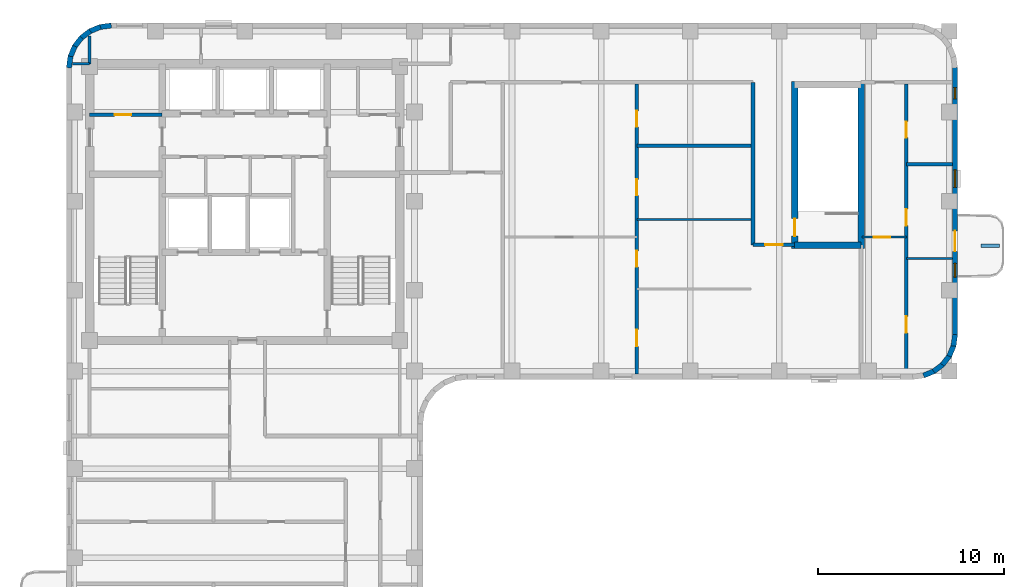
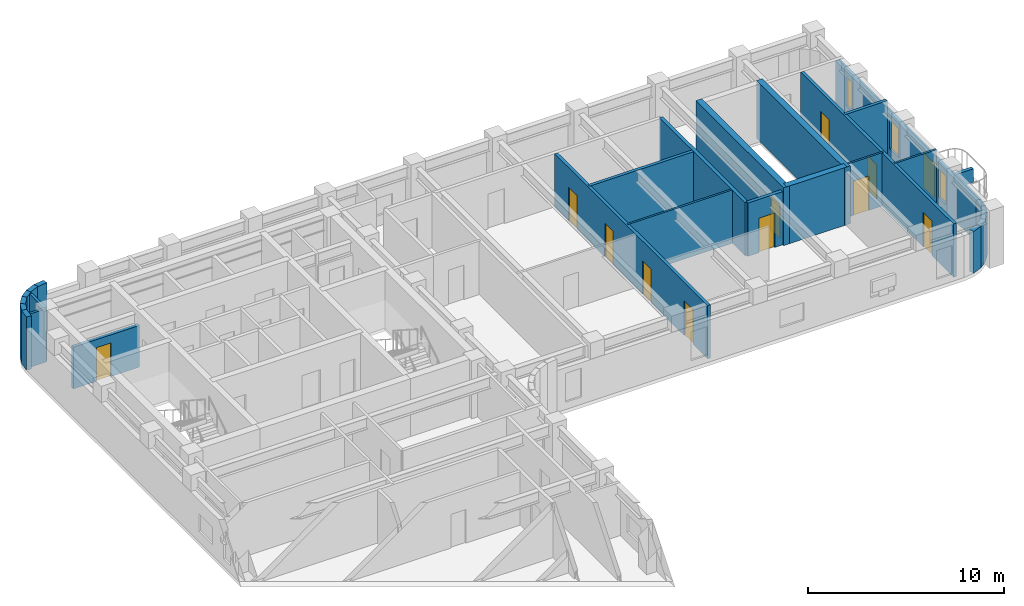
# One storey, part 5 of 8: 28 walls, 12 doors, 3 windows, 15 openings.
"""IFC4 building model written with IfcOpenShell, lengths in metres."""

from ifc_helpers import new_model, si_unit, direction, frame, frame_2d, origin, place, context, subcontext, project, spatial, rectangle, extrude, material, layer, layer_set, type_object, element, fill, save


model = new_model("IFC4")

# Units and contexts
model_context = context("Model", 3, precision=1e-05, world=origin(), true_north=direction((0.0, 1.0)))
body_context = subcontext(model_context, "Body", "Model", "MODEL_VIEW")
ifc_project = project(units=[si_unit("LENGTHUNIT", "METRE"), si_unit("AREAUNIT", "SQUARE_METRE"), si_unit("VOLUMEUNIT", "CUBIC_METRE"), si_unit("PLANEANGLEUNIT", "RADIAN"), si_unit("MASSUNIT", "GRAM", prefix="KILO")], contexts=[model_context])

# Site, building, storey
site_placement = place(None, origin())
site = spatial("IfcSite", under=ifc_project, at=site_placement, CompositionType="ELEMENT")
building_placement = place(site_placement, origin())
building = spatial("IfcBuilding", under=site, at=building_placement, Name="Orvandelia Arch Residences", CompositionType="ELEMENT")
storey_placement = place(building_placement, frame((0.0, 0.0, 236.199951171875)))
storey = spatial("IfcBuildingStorey", under=building, at=storey_placement, Name="L62", CompositionType="ELEMENT", Elevation=236.199951171875)

# Wall, opening, door
ifc_material_1 = material(Name="Concrete C50/60", Category="concrete")
ifc_layer_1 = layer(ifc_material_1, 0.35009765625, Name="Concrete C50/60", Category="concrete")
ifc_layer_set_1 = layer_set([ifc_layer_1], Name="Concrete C50/60")
wall_type_1 = type_object("IfcWallType", Name="WL-CORE-350", PredefinedType="SHEAR", material=ifc_layer_set_1)
wall_1_placement = place(storey_placement, frame((44.02001953125, 35.864990234375, 0.0), z_axis=(0.0, 0.0, 1.0), x_axis=(0.0, 1.0, 0.0)))
wall_1 = element("IfcWall", 1, at=wall_1_placement, inside=storey, type_object=wall_type_1, Name="East Stair Core Shear Wall L62-W", PredefinedType="SHEAR", context=body_context, shape_type="SweptSolid", body=[
    extrude(rectangle(XDim=8.969970703125, YDim=0.35009765625, at=frame_2d((4.48486328125, 0.0))), origin(), (0.0, 0.0, 1.0), 3.60009765625),
])
opening_1_placement = place(wall_1_placement, frame((0.64990234375, 0.0, 0.0)))
opening_1 = element("IfcOpeningElement", 2, at=opening_1_placement, cuts=wall_1, Name="Opening D7", PredefinedType="OPENING", context=body_context, shape_type="SweptSolid", body=[
    extrude(rectangle(XDim=0.949951171875, YDim=2.10009765625, at=frame_2d((0.47509765625, 1.050048828125))), frame((0.0, 0.18505859375, 0.0), z_axis=(0.0, -1.0, 0.0), x_axis=(1.0, 0.0, 0.0)), (0.0, 0.0, 1.0), 0.3701171875),
])
ifc_material_2 = material(Name="Pressurised Stairwell Fire Door")
door_type_1 = type_object("IfcDoorType", Name="DR-STAIR-950", OperationType="NOTDEFINED", PredefinedType="DOOR", material=ifc_material_2)
door_1_placement = place(opening_1_placement, origin())
door_1 = element("IfcDoor", 3, at=door_1_placement, inside=storey, type_object=door_type_1, Name="East Stairwell ST-3 Fire Door L62", OperationType="SINGLE_SWING_LEFT", OverallHeight=2.10009765625, OverallWidth=0.949951171875, PredefinedType="DOOR", context=body_context, shape_type="SweptSolid", body=[
    extrude(rectangle(XDim=0.949951171875, YDim=2.10009765625, at=frame_2d((0.47509765625, 1.050048828125))), frame((0.0, 0.02490234375, 0.0), z_axis=(0.0, -1.0, 0.0), x_axis=(1.0, 0.0, 0.0)), (0.0, 0.0, 1.0), 0.050048828125),
])
fill(opening_1, door_1)

# Walls
wall_2_placement = place(storey_placement, frame((47.60009765625, 35.864990234375, 0.0), z_axis=(0.0, 0.0, 1.0), x_axis=(0.0, 1.0, 0.0)))
element("IfcWall", 4, at=wall_2_placement, inside=storey, type_object=wall_type_1, Name="East Stair Core Shear Wall L62-E", PredefinedType="SHEAR", context=body_context, shape_type="SweptSolid", body=[
    extrude(rectangle(XDim=8.969970703125, YDim=0.35009765625, at=frame_2d((4.48486328125, 0.0))), origin(), (0.0, 0.0, 1.0), 3.60009765625),
])
wall_3_placement = place(storey_placement, frame((44.02001953125, 36.0400390625, 0.0), z_axis=(0.0, 0.0, 1.0), x_axis=(1.0, 0.0, 0.0)))
element("IfcWall", 5, at=wall_3_placement, inside=storey, type_object=wall_type_1, Name="East Stair Core Shear Wall L62-S", PredefinedType="SHEAR", context=body_context, shape_type="SweptSolid", body=[
    extrude(rectangle(XDim=3.580078125, YDim=0.35009765625, at=frame_2d((1.7900390625, 0.0))), origin(), (0.0, 0.0, 1.0), 3.60009765625),
])
ifc_material_3 = material(Name="Fire-Rated Corridor Partition")
ifc_layer_2 = layer(ifc_material_3, 0.199951171875, Name="Fire-Rated Corridor Partition")
ifc_layer_set_2 = layer_set([ifc_layer_2], Name="Fire-Rated Corridor Partition")
wall_type_2 = type_object("IfcWallType", Name="WL-CORR-200", PredefinedType="PARTITIONING", material=ifc_layer_set_2)
wall_4_placement = place(storey_placement, frame((41.780029296875, 36.050048828125, 0.0), z_axis=(0.0, 0.0, 1.0), x_axis=(0.0, 1.0, 0.0)))
element("IfcWall", 6, at=wall_4_placement, inside=storey, type_object=wall_type_2, Name="Interior Partition Wall WL-L62-EN2-SW", PredefinedType="PARTITIONING", context=body_context, shape_type="SweptSolid", body=[
    extrude(rectangle(XDim=8.75, YDim=0.199951171875, at=frame_2d((4.375, 0.0))), origin(), (0.0, 0.0, 1.0), 3.320068359375),
])

# Wall, opening, door
wall_5_placement = place(storey_placement, frame((41.780029296875, 36.050048828125, 0.0), z_axis=(0.0, 0.0, 1.0), x_axis=(1.0, 0.0, 0.0)))
wall_5 = element("IfcWall", 7, at=wall_5_placement, inside=storey, type_object=wall_type_2, Name="Interior Partition Wall WL-L62-EN2-SS", PredefinedType="PARTITIONING", context=body_context, shape_type="SweptSolid", body=[
    extrude(rectangle(XDim=2.239990234375, YDim=0.199951171875, at=frame_2d((1.1201171875, 0.0))), origin(), (0.0, 0.0, 1.0), 3.320068359375),
])
opening_2_placement = place(wall_5_placement, frame((0.64990234375, 0.0, 0.0)))
opening_2 = element("IfcOpeningElement", 8, at=opening_2_placement, cuts=wall_5, Name="Opening D2", PredefinedType="OPENING", context=body_context, shape_type="SweptSolid", body=[
    extrude(rectangle(XDim=0.949951171875, YDim=2.14990234375, at=frame_2d((0.47509765625, 1.074951171875))), frame((0.0, 0.10986328125, 0.0), z_axis=(0.0, -1.0, 0.0), x_axis=(1.0, 0.0, 0.0)), (0.0, 0.0, 1.0), 0.219970703125),
])
ifc_material_4 = material(Name="Solid-Core Timber Interior Fire Door", Category="wood")
door_type_2 = type_object("IfcDoorType", Name="DR-APT-950", OperationType="NOTDEFINED", PredefinedType="DOOR", material=ifc_material_4)
door_2_placement = place(opening_2_placement, origin())
door_2 = element("IfcDoor", 9, at=door_2_placement, inside=storey, type_object=door_type_2, Name="DR-L62-EN2SLN", OperationType="SINGLE_SWING_LEFT", OverallHeight=2.14990234375, OverallWidth=0.949951171875, PredefinedType="DOOR", context=body_context, shape_type="SweptSolid", body=[
    extrude(rectangle(XDim=0.949951171875, YDim=2.14990234375, at=frame_2d((0.47509765625, 1.074951171875))), frame((0.0, 0.02490234375, 0.0), z_axis=(0.0, -1.0, 0.0), x_axis=(1.0, 0.0, 0.0)), (0.0, 0.0, 1.0), 0.050048828125),
])
fill(opening_2, door_2)

# Walls
ifc_material_5 = material(Name="Precast concrete C40/50", Category="concrete")
ifc_layer_3 = layer(ifc_material_5, 0.280029296875, Name="Precast concrete C40/50", Category="concrete")
ifc_layer_set_3 = layer_set([ifc_layer_3], Name="Precast concrete C40/50")
wall_type_3 = type_object("IfcWallType", Name="WL-EXT-STONE-280", PredefinedType="STANDARD", material=ifc_layer_set_3)
for number, where, z_axis, x_axis, name in (
    (10, (4.938720703125, 45.581787109375, 0.0), (0.0, 0.0, 1.0), (0.130555323746, 0.9914410257, 0.0), "Coral-Limestone Precast Facade Wall L62-001"),
    (11, (5.010986328125, 46.16748046875, 0.0), (0.0, 0.0, 1.0), (0.382650053678, 0.92389335771, 0.0), "Coral-Limestone Precast Facade Wall L62-002"),
    (12, (5.232666015625, 46.71484375, 0.0), (0.0, 0.0, 1.0), (0.608693302629, 0.793405610854, 0.0), "Coral-Limestone Precast Facade Wall L62-003"),
    (13, (5.588134765625, 47.18603515625, 0.0), (0.0, 0.0, 1.0), (0.793405610854, 0.608693302629, 0.0), "Coral-Limestone Precast Facade Wall L62-004"),
):
    element("IfcWall", number, at=place(storey_placement, frame(where, z_axis=z_axis, x_axis=x_axis)), inside=storey, type_object=wall_type_3, Name=name, PredefinedType="STANDARD", context=body_context, shape_type="SweptSolid", body=[
        extrude(rectangle(XDim=0.62646484375, YDim=0.280029296875, at=frame_2d((0.313232421875, 0.0))), origin(), (0.0, 0.0, 1.0), 3.320068359375),
    ])
wall_6_placement = place(storey_placement, frame((6.0537109375, 47.54931640625, 0.0), z_axis=(0.0, 0.0, 1.0), x_axis=(0.923974080304, 0.382455093999, 0.0)))
element("IfcWall", 14, at=wall_6_placement, inside=storey, type_object=wall_type_3, Name="Coral-Limestone Precast Facade Wall L62-005", PredefinedType="STANDARD", context=body_context, shape_type="SweptSolid", body=[
    extrude(rectangle(XDim=0.626220703125, YDim=0.280029296875, at=frame_2d((0.31298828125, 0.0))), origin(), (0.0, 0.0, 1.0), 3.320068359375),
])
wall_7_placement = place(storey_placement, frame((6.59716796875, 47.779296875, 0.0), z_axis=(0.0, 0.0, 1.0), x_axis=(0.9914410257, 0.130555323746, 0.0)))
element("IfcWall", 15, at=wall_7_placement, inside=storey, type_object=wall_type_3, Name="Coral-Limestone Precast Facade Wall L62-006", PredefinedType="STANDARD", context=body_context, shape_type="SweptSolid", body=[
    extrude(rectangle(XDim=0.62646484375, YDim=0.280029296875, at=frame_2d((0.313232421875, 0.0))), origin(), (0.0, 0.0, 1.0), 3.320068359375),
])

# Wall, openings, door, windows
wall_8_placement = place(storey_placement, frame((52.659912109375, 45.60009765625, 0.0), z_axis=(0.0, 0.0, 1.0), x_axis=(0.0, -1.0, 0.0)))
wall_8 = element("IfcWall", 16, at=wall_8_placement, inside=storey, type_object=wall_type_3, Name="Coral-Limestone Precast Facade Wall L62-014", PredefinedType="STANDARD", context=body_context, shape_type="SweptSolid", body=[
    extrude(rectangle(XDim=14.400146484375, YDim=0.280029296875, at=frame_2d((7.2001953125, 0.0))), origin(), (0.0, 0.0, 1.0), 2.60009765625),
])
opening_3_placement = place(wall_8_placement, frame((8.800048828125, 0.0, 0.0)))
opening_3 = element("IfcOpeningElement", 17, at=opening_3_placement, cuts=wall_8, Name="Opening BD1", PredefinedType="OPENING", context=body_context, shape_type="SweptSolid", body=[
    extrude(rectangle(XDim=1.10009765625, YDim=2.14990234375, at=frame_2d((0.550048828125, 1.074951171875))), frame((0.0, 0.14990234375, 0.0), z_axis=(0.0, -1.0, 0.0), x_axis=(1.0, 0.0, 0.0)), (0.0, 0.0, 1.0), 0.300048828125),
])
opening_4_placement = place(wall_8_placement, frame((10.54443359375, 0.0, 0.449951171875)))
opening_4 = element("IfcOpeningElement", 18, at=opening_4_placement, cuts=wall_8, Name="Opening W11", PredefinedType="OPENING", context=body_context, shape_type="SweptSolid", body=[
    extrude(rectangle(XDim=0.75, YDim=1.800048828125, at=frame_2d((0.375, 0.89990234375))), frame((0.0, 0.14990234375, 0.0), z_axis=(0.0, -1.0, 0.0), x_axis=(1.0, 0.0, 0.0)), (0.0, 0.0, 1.0), 0.300048828125),
])
opening_5_placement = place(wall_8_placement, frame((1.08740234375, 0.0, 0.449951171875)))
opening_5 = element("IfcOpeningElement", 19, at=opening_5_placement, cuts=wall_8, Name="Opening W12", PredefinedType="OPENING", context=body_context, shape_type="SweptSolid", body=[
    extrude(rectangle(XDim=0.60009765625, YDim=1.800048828125, at=frame_2d((0.300048828125, 0.89990234375))), frame((0.0, 0.14990234375, 0.0), z_axis=(0.0, -1.0, 0.0), x_axis=(1.0, 0.0, 0.0)), (0.0, 0.0, 1.0), 0.300048828125),
])
opening_6_placement = place(wall_8_placement, frame((5.510986328125, 0.0, 0.449951171875)))
opening_6 = element("IfcOpeningElement", 20, at=opening_6_placement, cuts=wall_8, Name="Opening W4", PredefinedType="OPENING", context=body_context, shape_type="SweptSolid", body=[
    extrude(rectangle(XDim=0.949951171875, YDim=1.800048828125, at=frame_2d((0.47509765625, 0.89990234375))), frame((0.0, 0.14990234375, 0.0), z_axis=(0.0, -1.0, 0.0), x_axis=(1.0, 0.0, 0.0)), (0.0, 0.0, 1.0), 0.300048828125),
])
ifc_material_6 = material(Name="Thermally Broken Aluminium Glazed Door", Category="aluminium")
door_type_3 = type_object("IfcDoorType", Name="DR-BAL-GLAZ-1100", OperationType="NOTDEFINED", PredefinedType="DOOR", material=ifc_material_6)
door_3_placement = place(opening_3_placement, origin())
door_3 = element("IfcDoor", 21, at=door_3_placement, inside=storey, type_object=door_type_3, Name="Tree Balcony Glazed Door BAL-L62-E1", OperationType="SINGLE_SWING_LEFT", OverallHeight=2.14990234375, OverallWidth=1.10009765625, PredefinedType="DOOR", context=body_context, shape_type="SweptSolid", body=[
    extrude(rectangle(XDim=1.10009765625, YDim=2.14990234375, at=frame_2d((0.550048828125, 1.074951171875))), frame((0.0, 0.02490234375, 0.0), z_axis=(0.0, -1.0, 0.0), x_axis=(1.0, 0.0, 0.0)), (0.0, 0.0, 1.0), 0.050048828125),
])
fill(opening_3, door_3)
ifc_material_7 = material(Name="Tempered Low-E Insulated Glazing", Category="glass")
window_type_1 = type_object("IfcWindowType", Name="WIN-BED-0750x1800", PartitioningType="SINGLE_PANEL", PredefinedType="WINDOW", material=ifc_material_7)
window_1_placement = place(opening_4_placement, origin())
window_1 = element("IfcWindow", 22, at=window_1_placement, inside=storey, type_object=window_type_1, Name="Recessed Punched Window L62-004", OverallHeight=1.800048828125, OverallWidth=0.75, PartitioningType="SINGLE_PANEL", PredefinedType="WINDOW", context=body_context, shape_type="SweptSolid", body=[
    extrude(rectangle(XDim=0.75, YDim=1.800048828125, at=frame_2d((0.375, 0.89990234375))), frame((0.0, 0.030029296875, 0.0), z_axis=(0.0, -1.0, 0.0), x_axis=(1.0, 0.0, 0.0)), (0.0, 0.0, 1.0), 0.06005859375),
])
fill(opening_4, window_1)
window_type_2 = type_object("IfcWindowType", Name="WIN-LAN-0600x1800", PartitioningType="SINGLE_PANEL", PredefinedType="WINDOW", material=ifc_material_7)
window_2_placement = place(opening_5_placement, origin())
window_2 = element("IfcWindow", 23, at=window_2_placement, inside=storey, type_object=window_type_2, Name="Recessed Punched Window L62-005", OverallHeight=1.800048828125, OverallWidth=0.60009765625, PartitioningType="SINGLE_PANEL", PredefinedType="WINDOW", context=body_context, shape_type="SweptSolid", body=[
    extrude(rectangle(XDim=0.60009765625, YDim=1.800048828125, at=frame_2d((0.300048828125, 0.89990234375))), frame((0.0, 0.030029296875, 0.0), z_axis=(0.0, -1.0, 0.0), x_axis=(1.0, 0.0, 0.0)), (0.0, 0.0, 1.0), 0.06005859375),
])
fill(opening_5, window_2)
window_type_3 = type_object("IfcWindowType", Name="WIN-RES-0950x1800", PartitioningType="SINGLE_PANEL", PredefinedType="WINDOW", material=ifc_material_7)
window_3_placement = place(opening_6_placement, origin())
window_3 = element("IfcWindow", 24, at=window_3_placement, inside=storey, type_object=window_type_3, Name="Recessed Punched Window L62-006", OverallHeight=1.800048828125, OverallWidth=0.949951171875, PartitioningType="SINGLE_PANEL", PredefinedType="WINDOW", context=body_context, shape_type="SweptSolid", body=[
    extrude(rectangle(XDim=0.949951171875, YDim=1.800048828125, at=frame_2d((0.47509765625, 0.89990234375))), frame((0.0, 0.030029296875, 0.0), z_axis=(0.0, -1.0, 0.0), x_axis=(1.0, 0.0, 0.0)), (0.0, 0.0, 1.0), 0.06005859375),
])
fill(opening_6, window_3)

# Walls
wall_9_placement = place(storey_placement, frame((52.6611328125, 31.21826171875, 0.0), z_axis=(0.0, 0.0, 1.0), x_axis=(-0.130555323746, -0.9914410257, 0.0)))
element("IfcWall", 25, at=wall_9_placement, inside=storey, type_object=wall_type_3, Name="Coral-Limestone Precast Facade Wall L62-015", PredefinedType="STANDARD", context=body_context, shape_type="SweptSolid", body=[
    extrude(rectangle(XDim=0.62646484375, YDim=0.280029296875, at=frame_2d((0.313232421875, 0.0))), origin(), (0.0, 0.0, 1.0), 2.60009765625),
])
wall_10_placement = place(storey_placement, frame((52.5888671875, 30.63232421875, 0.0), z_axis=(0.0, 0.0, 1.0), x_axis=(-0.382787856107, -0.923836271867, 0.0)))
element("IfcWall", 26, at=wall_10_placement, inside=storey, type_object=wall_type_3, Name="Coral-Limestone Precast Facade Wall L62-016", PredefinedType="STANDARD", context=body_context, shape_type="SweptSolid", body=[
    extrude(rectangle(XDim=0.626220703125, YDim=0.280029296875, at=frame_2d((0.31298828125, 0.0))), origin(), (0.0, 0.0, 1.0), 2.60009765625),
])
for number, where, z_axis, x_axis, name in (
    (27, (52.367431640625, 30.085205078125, 0.0), (0.0, 0.0, 1.0), (-0.608693302629, -0.793405610854, 0.0), "Coral-Limestone Precast Facade Wall L62-017"),
    (28, (52.011962890625, 29.614013671875, 0.0), (0.0, 0.0, 1.0), (-0.793405610854, -0.608693302629, 0.0), "Coral-Limestone Precast Facade Wall L62-018"),
    (29, (51.54638671875, 29.250732421875, 0.0), (0.0, 0.0, 1.0), (-0.92389335771, -0.382650053678, 0.0), "Coral-Limestone Precast Facade Wall L62-019"),
):
    element("IfcWall", number, at=place(storey_placement, frame(where, z_axis=z_axis, x_axis=x_axis)), inside=storey, type_object=wall_type_3, Name=name, PredefinedType="STANDARD", context=body_context, shape_type="SweptSolid", body=[
        extrude(rectangle(XDim=0.62646484375, YDim=0.280029296875, at=frame_2d((0.313232421875, 0.0))), origin(), (0.0, 0.0, 1.0), 2.60009765625),
    ])
ifc_material_8 = material(Name="Lightweight Gypsum Stud Partition")
ifc_layer_4 = layer(ifc_material_8, 0.1201171875, Name="Lightweight Gypsum Stud Partition")
ifc_layer_set_4 = layer_set([ifc_layer_4], Name="Lightweight Gypsum Stud Partition")
wall_type_4 = type_object("IfcWallType", Name="WL-PART-120", PredefinedType="PARTITIONING", material=ifc_layer_set_4)
wall_11_placement = place(storey_placement, frame((35.528076171875, 37.4208984375, 0.0), z_axis=(0.0, 0.0, 1.0), x_axis=(1.0, 0.0, 0.0)))
element("IfcWall", 30, at=wall_11_placement, inside=storey, type_object=wall_type_4, Name="Interior Partition Wall WL-L62-U04-H1B", PredefinedType="PARTITIONING", context=body_context, shape_type="SweptSolid", body=[
    extrude(rectangle(XDim=6.15185546875, YDim=0.1201171875, at=frame_2d((3.075927734375, 0.0))), origin(), (0.0, 0.0, 1.0), 3.320068359375),
])

# Wall, opening, door
wall_12_placement = place(storey_placement, frame((47.639892578125, 36.468017578125, 0.0), z_axis=(0.0, 0.0, 1.0), x_axis=(1.0, 0.0, 0.0)))
wall_12 = element("IfcWall", 31, at=wall_12_placement, inside=storey, type_object=wall_type_4, Name="Interior Partition Wall WL-L62-U05-DIN", PredefinedType="PARTITIONING", context=body_context, shape_type="SweptSolid", body=[
    extrude(rectangle(XDim=2.403076171875, YDim=0.1201171875, at=frame_2d((1.20166015625, 0.0))), origin(), (0.0, 0.0, 1.0), 3.320068359375),
])
opening_7_placement = place(wall_12_placement, frame((0.640380859375, 0.0, 0.0)))
opening_7 = element("IfcOpeningElement", 32, at=opening_7_placement, cuts=wall_12, Name="Opening D3", PredefinedType="OPENING", context=body_context, shape_type="SweptSolid", body=[
    extrude(rectangle(XDim=0.89990234375, YDim=2.14990234375, at=frame_2d((0.449951171875, 1.074951171875))), frame((0.0, 0.070068359375, 0.0), z_axis=(0.0, -1.0, 0.0), x_axis=(1.0, 0.0, 0.0)), (0.0, 0.0, 1.0), 0.14013671875),
])
ifc_material_9 = material(Name="Engineered Timber Flush Door", Category="wood")
door_type_4 = type_object("IfcDoorType", Name="DR-INT-900", OperationType="NOTDEFINED", PredefinedType="DOOR", material=ifc_material_9)
door_4_placement = place(opening_7_placement, origin())
door_4 = element("IfcDoor", 33, at=door_4_placement, inside=storey, type_object=door_type_4, Name="DR-L62-U05-DIN", OperationType="SINGLE_SWING_RIGHT", OverallHeight=2.14990234375, OverallWidth=0.89990234375, PredefinedType="DOOR", context=body_context, shape_type="SweptSolid", body=[
    extrude(rectangle(XDim=0.89990234375, YDim=2.14990234375, at=frame_2d((0.449951171875, 1.074951171875))), frame((0.0, 0.02490234375, 0.0), z_axis=(0.0, -1.0, 0.0), x_axis=(1.0, 0.0, 0.0)), (0.0, 0.0, 1.0), 0.050048828125),
])
fill(opening_7, door_4)

# Walls
wall_13_placement = place(storey_placement, frame((50.04296875, 35.31591796875, 0.0), z_axis=(0.0, 0.0, 1.0), x_axis=(1.0, 0.0, 0.0)))
element("IfcWall", 34, at=wall_13_placement, inside=storey, type_object=wall_type_4, Name="Interior Partition Wall WL-L62-U05-H1", PredefinedType="PARTITIONING", context=body_context, shape_type="SweptSolid", body=[
    extrude(rectangle(XDim=2.47705078125, YDim=0.1201171875, at=frame_2d((1.238525390625, 0.0))), origin(), (0.0, 0.0, 1.0), 3.320068359375),
])
ifc_material_10 = material(Name="Acoustic Gypsum Stud Partition")
ifc_layer_5 = layer(ifc_material_10, 0.14990234375, Name="Acoustic Gypsum Stud Partition")
ifc_layer_set_5 = layer_set([ifc_layer_5], Name="Acoustic Gypsum Stud Partition")
wall_type_5 = type_object("IfcWallType", Name="WL-PART-150", PredefinedType="PARTITIONING", material=ifc_layer_set_5)
wall_14_placement = place(storey_placement, frame((5.1201171875, 45.800048828125, 0.0), z_axis=(0.0, 0.0, 1.0), x_axis=(1.0, 0.0, 0.0)))
element("IfcWall", 35, at=wall_14_placement, inside=storey, type_object=wall_type_5, Name="Interior Partition Wall WL-L62-WF-N", PredefinedType="PARTITIONING", context=body_context, shape_type="SweptSolid", body=[
    extrude(rectangle(XDim=0.929931640625, YDim=0.14990234375, at=frame_2d((0.46484375, 0.0))), origin(), (0.0, 0.0, 1.0), 3.320068359375),
])
wall_15_placement = place(storey_placement, frame((6.050048828125, 45.800048828125, 0.0), z_axis=(0.0, 0.0, 1.0), x_axis=(0.0, 1.0, 0.0)))
element("IfcWall", 36, at=wall_15_placement, inside=storey, type_object=wall_type_5, Name="Interior Partition Wall WL-L62-NC-W6", PredefinedType="PARTITIONING", context=body_context, shape_type="SweptSolid", body=[
    extrude(rectangle(XDim=1.5, YDim=0.14990234375, at=frame_2d((0.75, 0.0))), origin(), (0.0, 0.0, 1.0), 3.320068359375),
])
ifc_layer_6 = layer(ifc_material_5, 0.199951171875, Name="Precast concrete C40/50", Category="concrete")
ifc_layer_set_6 = layer_set([ifc_layer_6], Name="Precast concrete C40/50")
wall_type_6 = type_object("IfcWallType", Name="WL-PLANTER-200", PredefinedType="MOVABLE", material=ifc_layer_set_6)
wall_16_placement = place(storey_placement, frame((54.050048828125, 36.0, 0.0), z_axis=(0.0, 0.0, 1.0), x_axis=(1.0, 0.0, 0.0)))
element("IfcWall", 37, at=wall_16_placement, inside=storey, type_object=wall_type_6, Name="Balcony Precast Tree Planter BAL-L62-E1", PredefinedType="MOVABLE", context=body_context, shape_type="SweptSolid", body=[
    extrude(rectangle(XDim=1.0, YDim=0.199951171875, at=frame_2d((0.5, 0.0))), origin(), (0.0, 0.0, 1.0), 0.85009765625),
])

# Wall, opening, door
ifc_material_11 = material(Name="Fire-Rated Shaft Enclosure Wall")
ifc_layer_7 = layer(ifc_material_11, 0.199951171875, Name="Fire-Rated Shaft Enclosure Wall")
ifc_layer_set_7 = layer_set([ifc_layer_7], Name="Fire-Rated Shaft Enclosure Wall")
wall_type_7 = type_object("IfcWallType", Name="WL-SHAFT-200", PredefinedType="POLYGONAL", material=ifc_layer_set_7)
wall_17_placement = place(storey_placement, frame((6.050048828125, 43.050048828125, 0.0), z_axis=(0.0, 0.0, 1.0), x_axis=(1.0, 0.0, 0.0)))
wall_17 = element("IfcWall", 38, at=wall_17_placement, inside=storey, type_object=wall_type_7, Name="Interior Partition Wall WL-L62-HLW-N", PredefinedType="POLYGONAL", context=body_context, shape_type="SweptSolid", body=[
    extrude(rectangle(XDim=3.909912109375, YDim=0.199951171875, at=frame_2d((1.955078125, 0.0))), origin(), (0.0, 0.0, 1.0), 2.60009765625),
])
opening_8_placement = place(wall_17_placement, frame((1.35009765625, 0.0, 0.0)))
opening_8 = element("IfcOpeningElement", 39, at=opening_8_placement, cuts=wall_17, Name="Opening D5", PredefinedType="OPENING", context=body_context, shape_type="SweptSolid", body=[
    extrude(rectangle(XDim=0.8798828125, YDim=2.10009765625, at=frame_2d((0.43994140625, 1.050048828125))), frame((0.0, 0.10986328125, 0.0), z_axis=(0.0, -1.0, 0.0), x_axis=(1.0, 0.0, 0.0)), (0.0, 0.0, 1.0), 0.219970703125),
])
ifc_material_12 = material(Name="Painted Galvanised Steel Service Door", Category="steel")
door_type_5 = type_object("IfcDoorType", Name="DR-SRV-880", OperationType="NOTDEFINED", PredefinedType="DOOR", material=ifc_material_12)
door_5_placement = place(opening_8_placement, origin())
door_5 = element("IfcDoor", 40, at=door_5_placement, inside=storey, type_object=door_type_5, Name="Riser Service Door L62", OperationType="SINGLE_SWING_RIGHT", OverallHeight=2.10009765625, OverallWidth=0.8798828125, PredefinedType="DOOR", context=body_context, shape_type="SweptSolid", body=[
    extrude(rectangle(XDim=0.8798828125, YDim=2.10009765625, at=frame_2d((0.43994140625, 1.050048828125))), frame((0.0, 0.02490234375, 0.0), z_axis=(0.0, -1.0, 0.0), x_axis=(1.0, 0.0, 0.0)), (0.0, 0.0, 1.0), 0.050048828125),
])
fill(opening_8, door_5)

# Wall, openings, doors
ifc_material_13 = material(Name="Moisture-Resistant Plumbing Wall")
ifc_layer_8 = layer(ifc_material_13, 0.179931640625, Name="Moisture-Resistant Plumbing Wall")
ifc_layer_set_8 = layer_set([ifc_layer_8], Name="Moisture-Resistant Plumbing Wall")
wall_type_8 = type_object("IfcWallType", Name="WL-WET-180", PredefinedType="PLUMBINGWALL", material=ifc_layer_set_8)
wall_18_placement = place(storey_placement, frame((35.528076171875, 29.080078125, 0.0), z_axis=(0.0, 0.0, 1.0), x_axis=(0.0, 1.0, 0.0)))
wall_18 = element("IfcWall", 41, at=wall_18_placement, inside=storey, type_object=wall_type_8, Name="Interior Partition Wall WL-L62-U04-VT", PredefinedType="PLUMBINGWALL", context=body_context, shape_type="SweptSolid", body=[
    extrude(rectangle(XDim=15.619873046875, YDim=0.179931640625, at=frame_2d((7.81005859375, 0.0))), origin(), (0.0, 0.0, 1.0), 3.320068359375),
])
opening_9_placement = place(wall_18_placement, frame((1.5048828125, 0.0, 0.0)))
opening_9 = element("IfcOpeningElement", 42, at=opening_9_placement, cuts=wall_18, Name="Opening D3", PredefinedType="OPENING", context=body_context, shape_type="SweptSolid", body=[
    extrude(rectangle(XDim=0.89990234375, YDim=2.14990234375, at=frame_2d((0.449951171875, 1.074951171875))), frame((0.0, 0.10009765625, 0.0), z_axis=(0.0, -1.0, 0.0), x_axis=(1.0, 0.0, 0.0)), (0.0, 0.0, 1.0), 0.199951171875),
])
opening_10_placement = place(wall_18_placement, frame((5.783447265625, 0.0, 0.0)))
opening_10 = element("IfcOpeningElement", 43, at=opening_10_placement, cuts=wall_18, Name="Opening D4", PredefinedType="OPENING", context=body_context, shape_type="SweptSolid", body=[
    extrude(rectangle(XDim=0.860107421875, YDim=2.10009765625, at=frame_2d((0.43017578125, 1.050048828125))), frame((0.0, 0.10009765625, 0.0), z_axis=(0.0, -1.0, 0.0), x_axis=(1.0, 0.0, 0.0)), (0.0, 0.0, 1.0), 0.199951171875),
])
opening_11_placement = place(wall_18_placement, frame((9.632568359375, 0.0, 0.0)))
opening_11 = element("IfcOpeningElement", 44, at=opening_11_placement, cuts=wall_18, Name="Opening D4", PredefinedType="OPENING", context=body_context, shape_type="SweptSolid", body=[
    extrude(rectangle(XDim=0.860107421875, YDim=2.10009765625, at=frame_2d((0.43017578125, 1.050048828125))), frame((0.0, 0.10009765625, 0.0), z_axis=(0.0, -1.0, 0.0), x_axis=(1.0, 0.0, 0.0)), (0.0, 0.0, 1.0), 0.199951171875),
])
opening_12_placement = place(wall_18_placement, frame((13.327392578125, 0.0, 0.0)))
opening_12 = element("IfcOpeningElement", 45, at=opening_12_placement, cuts=wall_18, Name="Opening D4", PredefinedType="OPENING", context=body_context, shape_type="SweptSolid", body=[
    extrude(rectangle(XDim=0.860107421875, YDim=2.10009765625, at=frame_2d((0.43017578125, 1.050048828125))), frame((0.0, 0.10009765625, 0.0), z_axis=(0.0, -1.0, 0.0), x_axis=(1.0, 0.0, 0.0)), (0.0, 0.0, 1.0), 0.199951171875),
])
door_6_placement = place(opening_9_placement, origin())
door_6 = element("IfcDoor", 46, at=door_6_placement, inside=storey, type_object=door_type_4, Name="DR-L62-U04-BD1", OperationType="SINGLE_SWING_RIGHT", OverallHeight=2.14990234375, OverallWidth=0.89990234375, PredefinedType="DOOR", context=body_context, shape_type="SweptSolid", body=[
    extrude(rectangle(XDim=0.89990234375, YDim=2.14990234375, at=frame_2d((0.449951171875, 1.074951171875))), frame((0.0, 0.02490234375, 0.0), z_axis=(0.0, -1.0, 0.0), x_axis=(1.0, 0.0, 0.0)), (0.0, 0.0, 1.0), 0.050048828125),
])
fill(opening_9, door_6)
ifc_material_14 = material(Name="Moisture-Sealed Timber Bathroom Door", Category="wood")
door_type_6 = type_object("IfcDoorType", Name="DR-WET-900", OperationType="NOTDEFINED", PredefinedType="DOOR", material=ifc_material_14)
door_7_placement = place(opening_10_placement, origin())
door_7 = element("IfcDoor", 47, at=door_7_placement, inside=storey, type_object=door_type_6, Name="DR-L62-U04-STDY", OperationType="SINGLE_SWING_LEFT", OverallHeight=2.10009765625, OverallWidth=0.860107421875, PredefinedType="DOOR", context=body_context, shape_type="SweptSolid", body=[
    extrude(rectangle(XDim=0.860107421875, YDim=2.10009765625, at=frame_2d((0.43017578125, 1.050048828125))), frame((0.0, 0.02490234375, 0.0), z_axis=(0.0, -1.0, 0.0), x_axis=(1.0, 0.0, 0.0)), (0.0, 0.0, 1.0), 0.050048828125),
])
fill(opening_10, door_7)
door_8_placement = place(opening_11_placement, origin())
door_8 = element("IfcDoor", 48, at=door_8_placement, inside=storey, type_object=door_type_6, Name="DR-L62-U04-KIT", OperationType="SINGLE_SWING_RIGHT", OverallHeight=2.10009765625, OverallWidth=0.860107421875, PredefinedType="DOOR", context=body_context, shape_type="SweptSolid", body=[
    extrude(rectangle(XDim=0.860107421875, YDim=2.10009765625, at=frame_2d((0.43017578125, 1.050048828125))), frame((0.0, 0.02490234375, 0.0), z_axis=(0.0, -1.0, 0.0), x_axis=(1.0, 0.0, 0.0)), (0.0, 0.0, 1.0), 0.050048828125),
])
fill(opening_11, door_8)
door_9_placement = place(opening_12_placement, origin())
door_9 = element("IfcDoor", 49, at=door_9_placement, inside=storey, type_object=door_type_6, Name="DR-L62-U04-BTH", OperationType="SINGLE_SWING_LEFT", OverallHeight=2.10009765625, OverallWidth=0.860107421875, PredefinedType="DOOR", context=body_context, shape_type="SweptSolid", body=[
    extrude(rectangle(XDim=0.860107421875, YDim=2.10009765625, at=frame_2d((0.43017578125, 1.050048828125))), frame((0.0, 0.02490234375, 0.0), z_axis=(0.0, -1.0, 0.0), x_axis=(1.0, 0.0, 0.0)), (0.0, 0.0, 1.0), 0.050048828125),
])
fill(opening_12, door_9)

# Wall
wall_19_placement = place(storey_placement, frame((35.528076171875, 41.39111328125, 0.0), z_axis=(0.0, 0.0, 1.0), x_axis=(1.0, 0.0, 0.0)))
element("IfcWall", 50, at=wall_19_placement, inside=storey, type_object=wall_type_8, Name="Interior Partition Wall WL-L62-U04-H2", PredefinedType="PLUMBINGWALL", context=body_context, shape_type="SweptSolid", body=[
    extrude(rectangle(XDim=6.15185546875, YDim=0.179931640625, at=frame_2d((3.075927734375, 0.0))), origin(), (0.0, 0.0, 1.0), 3.320068359375),
])

# Wall, openings, doors
wall_20_placement = place(storey_placement, frame((50.04296875, 29.080078125, 0.0), z_axis=(0.0, 0.0, 1.0), x_axis=(0.0, 1.0, 0.0)))
wall_20 = element("IfcWall", 51, at=wall_20_placement, inside=storey, type_object=wall_type_8, Name="Interior Partition Wall WL-L62-U05-VT", PredefinedType="PLUMBINGWALL", context=body_context, shape_type="SweptSolid", body=[
    extrude(rectangle(XDim=15.619873046875, YDim=0.179931640625, at=frame_2d((7.81005859375, 0.0))), origin(), (0.0, 0.0, 1.0), 3.320068359375),
])
opening_13_placement = place(wall_20_placement, frame((2.22265625, 0.0, 0.0)))
opening_13 = element("IfcOpeningElement", 52, at=opening_13_placement, cuts=wall_20, Name="Opening D3", PredefinedType="OPENING", context=body_context, shape_type="SweptSolid", body=[
    extrude(rectangle(XDim=0.89990234375, YDim=2.14990234375, at=frame_2d((0.449951171875, 1.074951171875))), frame((0.0, 0.10009765625, 0.0), z_axis=(0.0, -1.0, 0.0), x_axis=(1.0, 0.0, 0.0)), (0.0, 0.0, 1.0), 0.199951171875),
])
opening_14_placement = place(wall_20_placement, frame((7.998779296875, 0.0, 0.0)))
opening_14 = element("IfcOpeningElement", 53, at=opening_14_placement, cuts=wall_20, Name="Opening D3", PredefinedType="OPENING", context=body_context, shape_type="SweptSolid", body=[
    extrude(rectangle(XDim=0.89990234375, YDim=2.14990234375, at=frame_2d((0.449951171875, 1.074951171875))), frame((0.0, 0.10009765625, 0.0), z_axis=(0.0, -1.0, 0.0), x_axis=(1.0, 0.0, 0.0)), (0.0, 0.0, 1.0), 0.199951171875),
])
opening_15_placement = place(wall_20_placement, frame((12.75048828125, 0.0, 0.0)))
opening_15 = element("IfcOpeningElement", 54, at=opening_15_placement, cuts=wall_20, Name="Opening D4", PredefinedType="OPENING", context=body_context, shape_type="SweptSolid", body=[
    extrude(rectangle(XDim=0.860107421875, YDim=2.10009765625, at=frame_2d((0.43017578125, 1.050048828125))), frame((0.0, 0.10009765625, 0.0), z_axis=(0.0, -1.0, 0.0), x_axis=(1.0, 0.0, 0.0)), (0.0, 0.0, 1.0), 0.199951171875),
])
door_10_placement = place(opening_13_placement, origin())
door_10 = element("IfcDoor", 55, at=door_10_placement, inside=storey, type_object=door_type_4, Name="DR-L62-U05-BD1", OperationType="SINGLE_SWING_LEFT", OverallHeight=2.14990234375, OverallWidth=0.89990234375, PredefinedType="DOOR", context=body_context, shape_type="SweptSolid", body=[
    extrude(rectangle(XDim=0.89990234375, YDim=2.14990234375, at=frame_2d((0.449951171875, 1.074951171875))), frame((0.0, 0.02490234375, 0.0), z_axis=(0.0, -1.0, 0.0), x_axis=(1.0, 0.0, 0.0)), (0.0, 0.0, 1.0), 0.050048828125),
])
fill(opening_13, door_10)
door_11_placement = place(opening_14_placement, origin())
door_11 = element("IfcDoor", 56, at=door_11_placement, inside=storey, type_object=door_type_4, Name="DR-L62-U05-KIT", OperationType="SINGLE_SWING_RIGHT", OverallHeight=2.14990234375, OverallWidth=0.89990234375, PredefinedType="DOOR", context=body_context, shape_type="SweptSolid", body=[
    extrude(rectangle(XDim=0.89990234375, YDim=2.14990234375, at=frame_2d((0.449951171875, 1.074951171875))), frame((0.0, 0.02490234375, 0.0), z_axis=(0.0, -1.0, 0.0), x_axis=(1.0, 0.0, 0.0)), (0.0, 0.0, 1.0), 0.050048828125),
])
fill(opening_14, door_11)
door_12_placement = place(opening_15_placement, origin())
door_12 = element("IfcDoor", 57, at=door_12_placement, inside=storey, type_object=door_type_6, Name="DR-L62-U05-BTH", OperationType="SINGLE_SWING_LEFT", OverallHeight=2.10009765625, OverallWidth=0.860107421875, PredefinedType="DOOR", context=body_context, shape_type="SweptSolid", body=[
    extrude(rectangle(XDim=0.860107421875, YDim=2.10009765625, at=frame_2d((0.43017578125, 1.050048828125))), frame((0.0, 0.02490234375, 0.0), z_axis=(0.0, -1.0, 0.0), x_axis=(1.0, 0.0, 0.0)), (0.0, 0.0, 1.0), 0.050048828125),
])
fill(opening_15, door_12)

# Wall
wall_21_placement = place(storey_placement, frame((50.04296875, 40.383056640625, 0.0), z_axis=(0.0, 0.0, 1.0), x_axis=(1.0, 0.0, 0.0)))
element("IfcWall", 58, at=wall_21_placement, inside=storey, type_object=wall_type_8, Name="Interior Partition Wall WL-L62-U05-H2", PredefinedType="PLUMBINGWALL", context=body_context, shape_type="SweptSolid", body=[
    extrude(rectangle(XDim=2.47705078125, YDim=0.179931640625, at=frame_2d((1.238525390625, 0.0))), origin(), (0.0, 0.0, 1.0), 3.320068359375),
])

save(model, "model.ifc")
